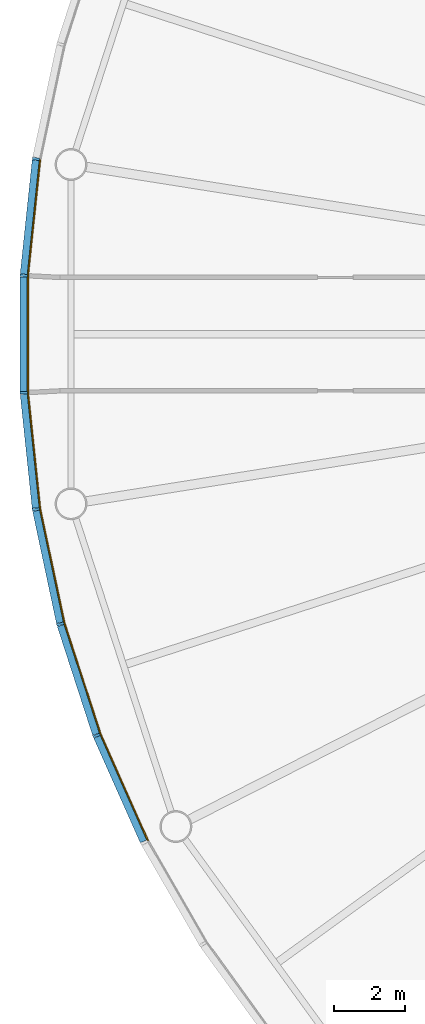
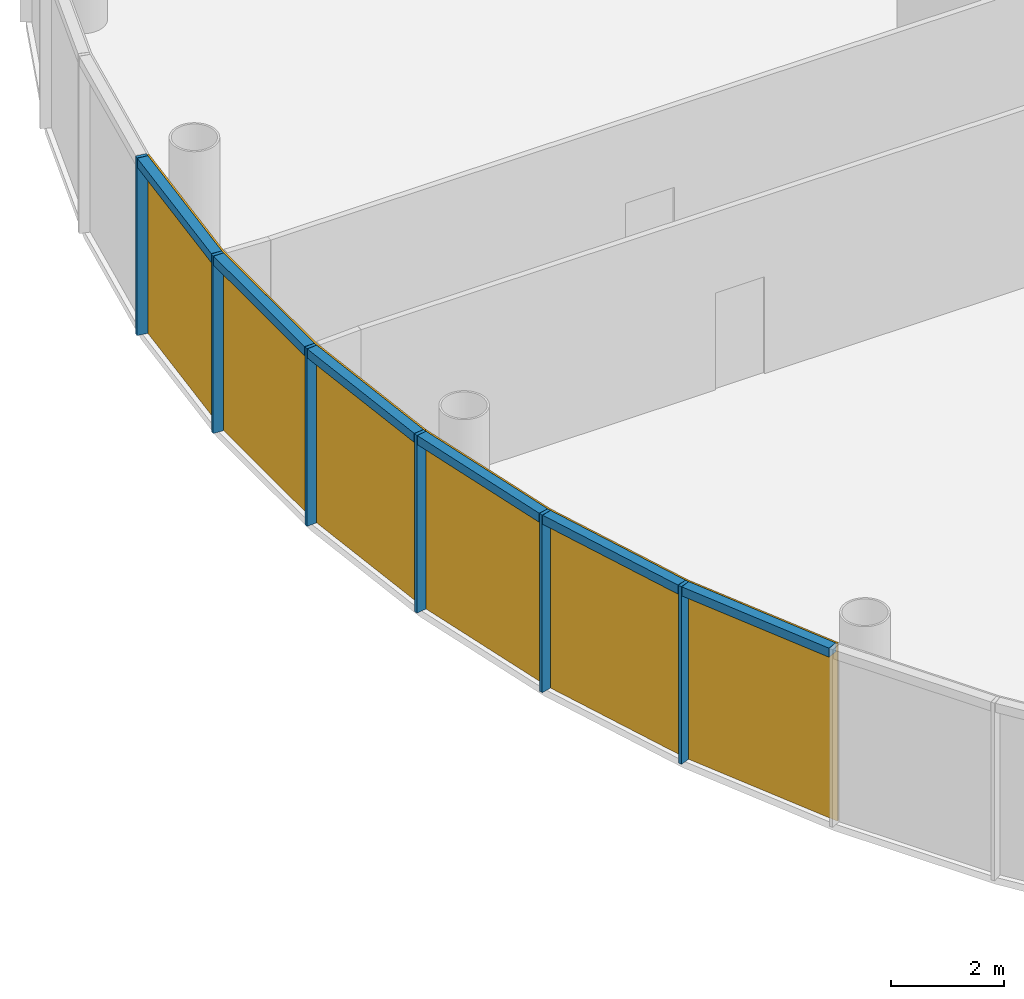
# One storey, part 8 of 13: 12 members, 2 curtain walls.
"""IFC4 building model written with IfcOpenShell, lengths in metres."""

from ifc_helpers import new_model, si_unit, direction, frame, origin, origin_2d, place, context, subcontext, project, spatial, polyline, rectangle, outline, extrude, material, layer, layer_set, material_profile, profile_set, type_object, element, aggregate, save


model = new_model("IFC4")

# Units and contexts
model_context = context("Model", 3, precision=1e-05, world=origin(), true_north=direction((0.0, 1.0)))
body_context = subcontext(model_context, "Body", "Model", "MODEL_VIEW")
ifc_project = project(units=[si_unit("LENGTHUNIT", "METRE"), si_unit("AREAUNIT", "SQUARE_METRE"), si_unit("VOLUMEUNIT", "CUBIC_METRE"), si_unit("PLANEANGLEUNIT", "RADIAN"), si_unit("MASSUNIT", "GRAM", prefix="KILO")], contexts=[model_context])

# Member
ifc_material_1 = material(Name="Anodised aluminium", Category="aluminium")
ifc_material_profile_1 = material_profile(ifc_material_1, rectangle(XDim=0.070068359375, YDim=0.205078125, at=origin_2d()), Name="Mullion 70 x 205 mm anodised aluminium")
ifc_profile_set_1 = profile_set([ifc_material_profile_1], Name="Anodised aluminium")
member_type_1 = type_object("IfcMemberType", Name="Mullion 70 x 205 mm anodised aluminium", PredefinedType="MULLION", material=ifc_profile_set_1)
site_placement = place(None, origin())
building_placement = place(site_placement, origin())
storey_placement = place(building_placement, frame((0.0, 0.0, 360.0)))
member_1_placement = place(storey_placement, frame((58.78662109375, 84.943603515625, 0.0), z_axis=(0.0, 0.0, 1.0), x_axis=(-0.15643446504, -0.987688340595, 0.0)))
member_1 = element("IfcMember", 1, at=member_1_placement, type_object=member_type_1, Name="MULLION L83-27", PredefinedType="MULLION", context=body_context, shape_type="SweptSolid", body=[
    extrude(rectangle(XDim=0.070068359375, YDim=0.205078125, at=origin_2d()), origin(), (0.0, 0.0, 1.0), 3.85009765625),
])

member_2_placement = place(storey_placement, frame((58.44091796875, 81.654052734375, 0.0), z_axis=(0.0, 0.0, 1.0), x_axis=(-0.052335956243, -0.998629534755, 0.0)))
member_2 = element("IfcMember", 2, at=member_2_placement, type_object=member_type_1, Name="MULLION L83-28", PredefinedType="MULLION", context=body_context, shape_type="SweptSolid", body=[
    extrude(rectangle(XDim=0.070068359375, YDim=0.205078125, at=origin_2d()), origin(), (0.0, 0.0, 1.0), 3.85009765625),
])

member_3_placement = place(storey_placement, frame((58.44091796875, 78.345947265625, 0.0), z_axis=(0.0, 0.0, 1.0), x_axis=(0.052335956243, -0.998629534755, 0.0)))
member_3 = element("IfcMember", 3, at=member_3_placement, type_object=member_type_1, Name="MULLION L83-29", PredefinedType="MULLION", context=body_context, shape_type="SweptSolid", body=[
    extrude(rectangle(XDim=0.070068359375, YDim=0.205078125, at=origin_2d()), origin(), (0.0, 0.0, 1.0), 3.85009765625),
])

member_4_placement = place(storey_placement, frame((58.78662109375, 75.056396484375, 0.0), z_axis=(0.0, 0.0, 1.0), x_axis=(0.15643446504, -0.987688340595, 0.0)))
member_4 = element("IfcMember", 4, at=member_4_placement, type_object=member_type_1, Name="MULLION L83-30", PredefinedType="MULLION", context=body_context, shape_type="SweptSolid", body=[
    extrude(rectangle(XDim=0.070068359375, YDim=0.205078125, at=origin_2d()), origin(), (0.0, 0.0, 1.0), 3.85009765625),
])

member_5_placement = place(storey_placement, frame((59.474365234375, 71.820556640625, 0.0), z_axis=(0.0, 0.0, 1.0), x_axis=(0.258819045103, -0.965925826289, 0.0)))
member_5 = element("IfcMember", 5, at=member_5_placement, type_object=member_type_1, Name="MULLION L83-31", PredefinedType="MULLION", context=body_context, shape_type="SweptSolid", body=[
    extrude(rectangle(XDim=0.070068359375, YDim=0.205078125, at=origin_2d()), origin(), (0.0, 0.0, 1.0), 3.85009765625),
])

member_6_placement = place(storey_placement, frame((60.49658203125, 68.674560546875, 0.0), z_axis=(0.0, 0.0, 1.0), x_axis=(0.358367949545, -0.933580426497, 0.0)))
member_6 = element("IfcMember", 6, at=member_6_placement, type_object=member_type_1, Name="MULLION L83-32", PredefinedType="MULLION", context=body_context, shape_type="SweptSolid", body=[
    extrude(rectangle(XDim=0.070068359375, YDim=0.205078125, at=origin_2d()), origin(), (0.0, 0.0, 1.0), 3.85009765625),
])

ifc_material_2 = material(Name="Anodised aluminium", Category="aluminium")
ifc_material_profile_2 = material_profile(ifc_material_2, rectangle(XDim=0.205078125, YDim=0.195068359375, at=origin_2d()), Name="Transom 195 x 205 mm anodised aluminium")
ifc_profile_set_2 = profile_set([ifc_material_profile_2], Name="Anodised aluminium")
member_type_2 = type_object("IfcMemberType", Name="Transom 195 x 205 mm anodised aluminium", PredefinedType="USERDEFINED", material=ifc_profile_set_2)
member_7_placement = place(storey_placement, frame((58.7822265625, 84.903564453125, 3.75244140625), z_axis=(-0.104550890115, -0.994519537956, 0.0), x_axis=(0.994519537956, -0.104550890115, 0.0)))
member_7 = element("IfcMember", 7, at=member_7_placement, type_object=member_type_2, Name="TRANSOM L83-27", ObjectType="TRANSOM", PredefinedType="USERDEFINED", context=body_context, shape_type="SweptSolid", body=[
    extrude(rectangle(XDim=0.205078125, YDim=0.195068359375, at=origin_2d()), origin(), (0.0, 0.0, 1.0), 3.22705078125),
])

member_8_placement = place(storey_placement, frame((58.440673828125, 81.613525390625, 3.75244140625), z_axis=(0.0, -1.0, 0.0), x_axis=(1.0, 0.0, 0.0)))
member_8 = element("IfcMember", 8, at=member_8_placement, type_object=member_type_2, Name="TRANSOM L83-28", ObjectType="TRANSOM", PredefinedType="USERDEFINED", context=body_context, shape_type="SweptSolid", body=[
    extrude(rectangle(XDim=0.205078125, YDim=0.195068359375, at=origin_2d()), origin(), (0.0, 0.0, 1.0), 3.22705078125),
])

member_9_placement = place(storey_placement, frame((58.44482421875, 78.305908203125, 3.75244140625), z_axis=(0.104550890115, -0.994519537956, 0.0), x_axis=(0.994519537956, 0.104550890115, 0.0)))
member_9 = element("IfcMember", 9, at=member_9_placement, type_object=member_type_2, Name="TRANSOM L83-29", ObjectType="TRANSOM", PredefinedType="USERDEFINED", context=body_context, shape_type="SweptSolid", body=[
    extrude(rectangle(XDim=0.205078125, YDim=0.195068359375, at=origin_2d()), origin(), (0.0, 0.0, 1.0), 3.22705078125),
])

member_10_placement = place(storey_placement, frame((58.794921875, 75.016845703125, 3.75244140625), z_axis=(0.207885898771, -0.978153082647, 0.0), x_axis=(0.978153082647, 0.207885898771, 0.0)))
member_10 = element("IfcMember", 10, at=member_10_placement, type_object=member_type_2, Name="TRANSOM L83-30", ObjectType="TRANSOM", PredefinedType="USERDEFINED", context=body_context, shape_type="SweptSolid", body=[
    extrude(rectangle(XDim=0.205078125, YDim=0.195068359375, at=origin_2d()), origin(), (0.0, 0.0, 1.0), 3.227294921875),
])

member_11_placement = place(storey_placement, frame((59.486572265625, 71.7822265625, 3.75244140625), z_axis=(0.309046726844, -0.951046855117, 0.0), x_axis=(0.951046855117, 0.309046726844, 0.0)))
member_11 = element("IfcMember", 11, at=member_11_placement, type_object=member_type_2, Name="TRANSOM L83-31", ObjectType="TRANSOM", PredefinedType="USERDEFINED", context=body_context, shape_type="SweptSolid", body=[
    extrude(rectangle(XDim=0.205078125, YDim=0.195068359375, at=origin_2d()), origin(), (0.0, 0.0, 1.0), 3.22705078125),
])

member_12_placement = place(storey_placement, frame((60.5126953125, 68.6376953125, 3.75244140625), z_axis=(0.406791170024, -0.913521178731, 0.0), x_axis=(0.913521178731, 0.406791170024, 0.0)))
member_12 = element("IfcMember", 12, at=member_12_placement, type_object=member_type_2, Name="TRANSOM L83-32", ObjectType="TRANSOM", PredefinedType="USERDEFINED", context=body_context, shape_type="SweptSolid", body=[
    extrude(rectangle(XDim=0.205078125, YDim=0.195068359375, at=origin_2d()), origin(), (0.0, 0.0, 1.0), 3.22705078125),
])

# Site, building, storey
site = spatial("IfcSite", under=ifc_project, at=site_placement, CompositionType="ELEMENT")
building = spatial("IfcBuilding", under=site, at=building_placement, Name="Entoto Ring Tower", CompositionType="ELEMENT")
storey = spatial("IfcBuildingStorey", under=building, at=storey_placement, Name="L83", CompositionType="ELEMENT", Elevation=360.0)

# Curtain wall
ifc_material_3 = material(Name="Clear low-iron glass", Category="glass")
ifc_layer = layer(ifc_material_3, 0.035888671875)
ifc_layer_set = layer_set([ifc_layer], Name="Clear low-iron glass")
curtain_wall_type = type_object("IfcCurtainWallType", Name="Curtain wall system CW6 glazing 36 mm", PredefinedType="NOTDEFINED", material=ifc_layer_set)
curtain_wall_1_placement = place(storey_placement, origin())
curtain_wall_1 = element("IfcCurtainWall", 13, at=curtain_wall_1_placement, inside=storey, type_object=curtain_wall_type, Name="CW6 L83-10", PredefinedType="NOTDEFINED", context=body_context, shape_type="SweptSolid", body=[
    extrude(outline(polyline([(58.8876953125, 84.927734375), (58.543212890625, 81.648681640625), (58.543212890625, 78.351318359375), (58.8876953125, 75.072265625), (58.92333984375, 75.077880859375), (58.5791015625, 78.353271484375), (58.5791015625, 81.646728515625), (58.92333984375, 84.922119140625), (58.8876953125, 84.927734375)])), origin(), (0.0, 0.0, 1.0), 3.85009765625),
])

aggregate(curtain_wall_1, [member_1, member_2, member_3, member_7, member_8, member_9])

curtain_wall_2_placement = place(storey_placement, origin())
curtain_wall_2 = element("IfcCurtainWall", 14, at=curtain_wall_2_placement, inside=storey, type_object=curtain_wall_type, Name="CW6 L83-11", PredefinedType="NOTDEFINED", context=body_context, shape_type="SweptSolid", body=[
    extrude(outline(polyline([(58.8876953125, 75.072265625), (59.5732421875, 71.84716796875), (60.59228515625, 68.71142578125), (61.933349609375, 65.69921875), (61.96533203125, 65.715576171875), (60.6259765625, 68.724365234375), (59.608154296875, 71.8564453125), (58.92333984375, 75.077880859375), (58.8876953125, 75.072265625)])), origin(), (0.0, 0.0, 1.0), 3.85009765625),
])

aggregate(curtain_wall_2, [member_4, member_5, member_6, member_10, member_11, member_12])

save(model, "model.ifc")
